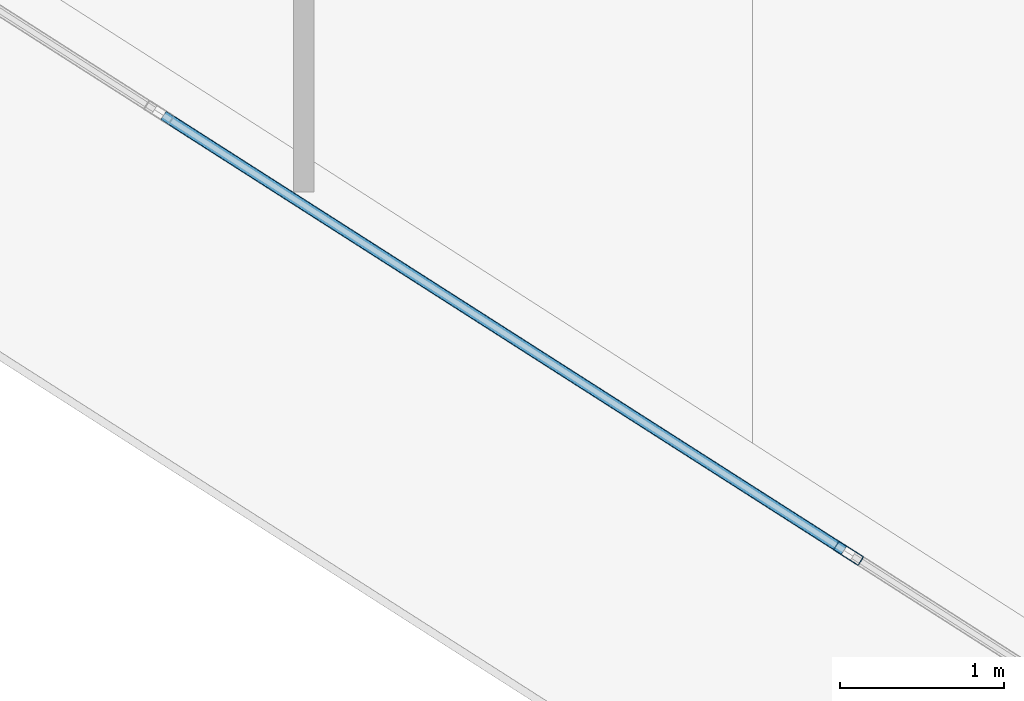
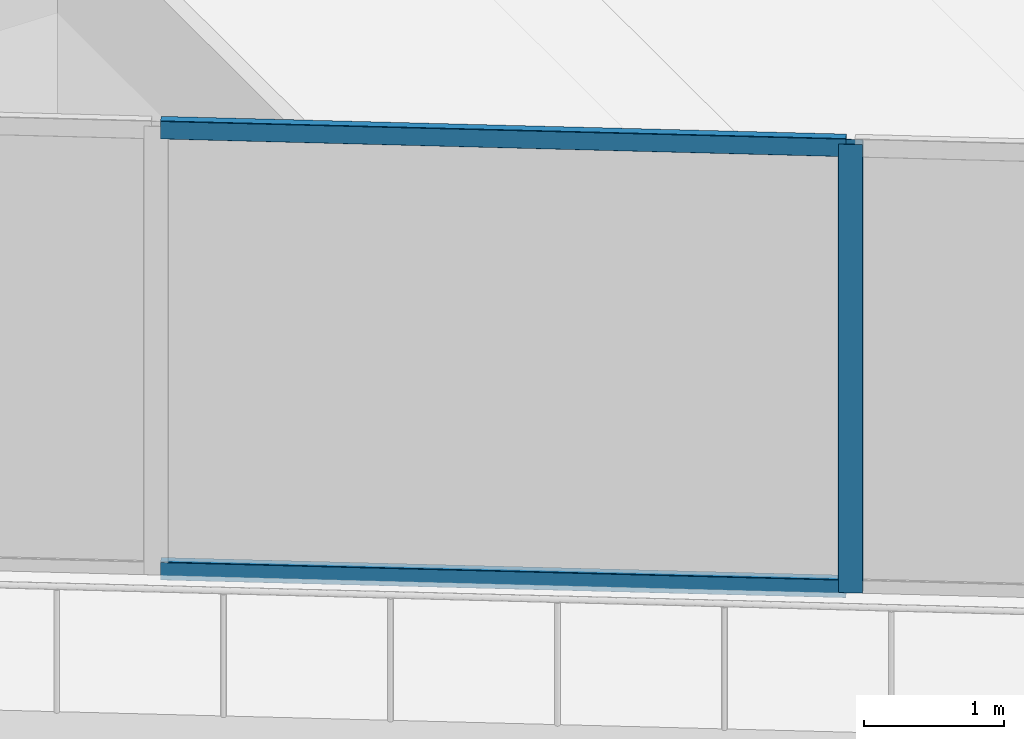
# One storey, part 8 of 44: 3 members, 1 element without a shape of its own.
"""IFC4 building model written with IfcOpenShell, lengths in metres."""

from ifc_helpers import new_model, si_unit, direction, frame, origin, origin_2d, place, context, subcontext, project, spatial, hollow_rectangle, extrude, material, layer, layer_set, material_profile, profile_set, type_object, element, aggregate, save


model = new_model("IFC4")

# Units and contexts
model_context = context("Model", 3, precision=1e-05, world=origin(), true_north=direction((0.0, 1.0)))
body_context = subcontext(model_context, "Body", "Model", "MODEL_VIEW")
ifc_project = project(units=[si_unit("LENGTHUNIT", "METRE"), si_unit("AREAUNIT", "SQUARE_METRE"), si_unit("VOLUMEUNIT", "CUBIC_METRE"), si_unit("PLANEANGLEUNIT", "RADIAN"), si_unit("MASSUNIT", "GRAM", prefix="KILO")], contexts=[model_context])

# Site, building, storey
site_placement = place(None, origin())
site = spatial("IfcSite", under=ifc_project, at=site_placement, CompositionType="ELEMENT")
building_placement = place(site_placement, origin())
building = spatial("IfcBuilding", under=site, at=building_placement, Name="Qorvath Tower", CompositionType="ELEMENT")
storey_placement = place(building_placement, frame((0.0, 0.0, 45.0)))
storey = spatial("IfcBuildingStorey", under=building, at=storey_placement, Name="L09", CompositionType="ELEMENT", Elevation=45.0)

# Curtain wall, members
ifc_material_1 = material(Name="Anodised aluminium and triple low-E glass", Category="aluminium")
ifc_layer = layer(ifc_material_1, 0.179931640625)
ifc_layer_set = layer_set([ifc_layer], Name="CW-SYS-2")
curtain_wall_type = type_object("IfcCurtainWallType", Name="CW-SYS-2", PredefinedType="NOTDEFINED", material=ifc_layer_set)
curtain_wall_placement = place(storey_placement, origin())
curtain_wall = element("IfcCurtainWall", 1, at=curtain_wall_placement, inside=storey, type_object=curtain_wall_type, Name="Curtain Wall CW-2 CW-T-L09-2.2", PredefinedType="NOTDEFINED")
ifc_material_2 = material(Name="Anodised aluminium 6063-T6", Category="aluminium")
ifc_material_profile_1 = material_profile(ifc_material_2, hollow_rectangle(XDim=0.06494140625, YDim=0.179931640625, WallThickness=0.00341796875, InnerFilletRadius=0.00341796875, OuterFilletRadius=0.007080078125, at=origin_2d()), Name="CWM 180x65")
ifc_profile_set_1 = profile_set([ifc_material_profile_1], Name="Anodised aluminium 6063-T6")
member_type_1 = type_object("IfcMemberType", Name="CWM-180", PredefinedType="MULLION", material=ifc_profile_set_1)
member_1_placement = place(storey_placement, frame((-27.4453125, -25.366943359375, 0.0), z_axis=(0.0, 0.0, 1.0), x_axis=(0.538536571861, 0.842602136698, 0.0)))
member_1 = element("IfcMember", 2, at=member_1_placement, type_object=member_type_1, Name="CW-2 mullion 4", PredefinedType="MULLION", context=body_context, shape_type="SweptSolid", body=[
    extrude(hollow_rectangle(XDim=0.06494140625, YDim=0.179931640625, WallThickness=0.00341796875, InnerFilletRadius=0.00341796875, OuterFilletRadius=0.007080078125, at=origin_2d()), origin(), (0.0, 0.0, 1.0), 3.919921875),
])
ifc_material_3 = material(Name="Anodised aluminium 6063-T6", Category="aluminium")
ifc_material_profile_2 = material_profile(ifc_material_3, hollow_rectangle(XDim=0.06494140625, YDim=0.159912109375, WallThickness=0.00341796875, InnerFilletRadius=0.00341796875, OuterFilletRadius=0.007080078125, at=origin_2d()), Name="CWT 160x65")
ifc_profile_set_2 = profile_set([ifc_material_profile_2], Name="Anodised aluminium 6063-T6")
member_type_2 = type_object("IfcMemberType", Name="CWT-160", PredefinedType="USERDEFINED", material=ifc_profile_set_2)
member_2_placement = place(storey_placement, frame((-31.611572265625, -22.703857421875, 0.032470703125), z_axis=(0.842585374104, -0.538562797959, 0.0), x_axis=(0.538562797959, 0.842585374104, 0.0)))
member_2 = element("IfcMember", 3, at=member_2_placement, type_object=member_type_2, Name="CW-2 transom 3.1", ObjectType="TRANSOM", PredefinedType="USERDEFINED", context=body_context, shape_type="SweptSolid", body=[
    extrude(hollow_rectangle(XDim=0.06494140625, YDim=0.159912109375, WallThickness=0.00341796875, InnerFilletRadius=0.00341796875, OuterFilletRadius=0.007080078125, at=origin_2d()), origin(), (0.0, 0.0, 1.0), 4.912109375),
])
member_3_placement = place(storey_placement, frame((-31.611572265625, -22.703857421875, 3.887451171875), z_axis=(0.842585374104, -0.538562797959, 0.0), x_axis=(0.538562797959, 0.842585374104, 0.0)))
member_3 = element("IfcMember", 4, at=member_3_placement, type_object=member_type_2, Name="CW-2 transom 3.2", ObjectType="TRANSOM", PredefinedType="USERDEFINED", context=body_context, shape_type="SweptSolid", body=[
    extrude(hollow_rectangle(XDim=0.06494140625, YDim=0.159912109375, WallThickness=0.00341796875, InnerFilletRadius=0.00341796875, OuterFilletRadius=0.007080078125, at=origin_2d()), origin(), (0.0, 0.0, 1.0), 4.912109375),
])
aggregate(curtain_wall, [member_1, member_2, member_3])

save(model, "model.ifc")
